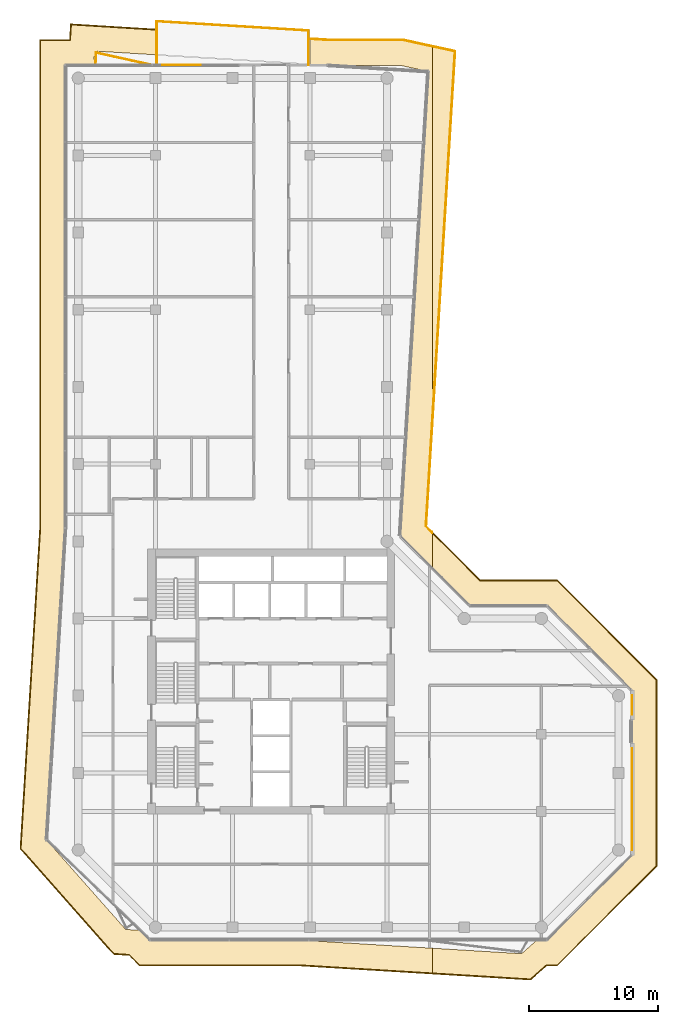
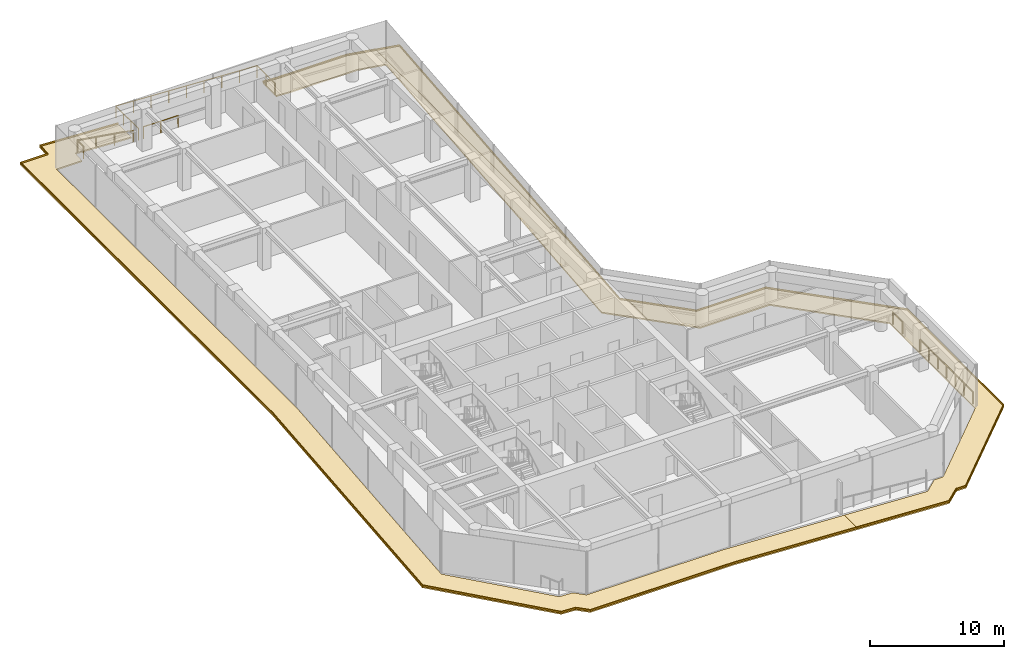
# One storey, part 22 of 22: 9 coverings, 5 railings.
"""IFC4 building model written with IfcOpenShell, lengths in metres."""

from ifc_helpers import new_model, si_unit, direction, frame, origin, origin_2d, place, context, subcontext, project, spatial, polyline, circle, outline, extrude, material, layer, layer_set, type_object, element, save


model = new_model("IFC4")

# Units and contexts
model_context = context("Model", 3, precision=1e-05, world=origin(), true_north=direction((0.0, 1.0)))
body_context = subcontext(model_context, "Body", "Model", "MODEL_VIEW")
ifc_project = project(units=[si_unit("LENGTHUNIT", "METRE"), si_unit("AREAUNIT", "SQUARE_METRE"), si_unit("VOLUMEUNIT", "CUBIC_METRE"), si_unit("PLANEANGLEUNIT", "RADIAN"), si_unit("MASSUNIT", "GRAM", prefix="KILO")], contexts=[model_context])

# Site, building, storey
site_placement = place(None, origin())
site = spatial("IfcSite", under=ifc_project, at=site_placement, CompositionType="ELEMENT")
building_placement = place(site_placement, origin())
building = spatial("IfcBuilding", under=site, at=building_placement, Name="Welwitschia Terrace Campus", CompositionType="ELEMENT")
storey_placement = place(building_placement, frame((0.0, 0.0, 155.0)))
storey = spatial("IfcBuildingStorey", under=building, at=storey_placement, Name="L34", CompositionType="ELEMENT", Elevation=155.0)

# Railings
ifc_material_1 = material(Name="Stainless steel grade 316", Category="steel")
railing_type = type_object("IfcRailingType", Name="Guard 1100", PredefinedType="GUARDRAIL", material=ifc_material_1)
railing_1_placement = place(storey_placement, frame((6.10009765625, 63.030029296875, 0.0)))
element("IfcRailing", 1, at=railing_1_placement, inside=storey, type_object=railing_type, Name="Guard terrace L34:0:0.0", PredefinedType="GUARDRAIL", context=body_context, shape_type="SweptSolid", body=[
    extrude(circle(Radius=0.02392578125, at=origin_2d()), frame((0.0, 0.0, 1.076171875), z_axis=(0.0, 1.0, 0.0), x_axis=(-1.0, 0.0, 0.0)), (0.0, 0.0, 1.0), 3.384033203125),
    extrude(circle(Radius=0.02392578125, at=origin_2d()), frame((0.0, 3.384033203125, 1.076171875), z_axis=(0.998134939054, -0.061046240169, 0.0), x_axis=(0.061046240169, 0.998134939054, 0.0)), (0.0, 0.0, 1.0), 11.82177734375),
    extrude(circle(Radius=0.02392578125, at=origin_2d()), frame((11.7998046875, 2.662353515625, 1.076171875), z_axis=(0.0, -1.0, 0.0), x_axis=(1.0, 0.0, 0.0)), (0.0, 0.0, 1.0), 2.662353515625),
    extrude(circle(Radius=0.02099609375, at=origin_2d()), origin(), (0.0, 0.0, 1.0), 1.052001953125),
    extrude(circle(Radius=0.02099609375, at=origin_2d()), frame((0.0, 1.1279296875, 0.0)), (0.0, 0.0, 1.0), 1.052001953125),
    extrude(circle(Radius=0.02099609375, at=origin_2d()), frame((0.0, 2.256103515625, 0.0)), (0.0, 0.0, 1.0), 1.052001953125),
    extrude(circle(Radius=0.02099609375, at=origin_2d()), frame((0.0, 3.384033203125, 0.0)), (0.0, 0.0, 1.0), 1.052001953125),
    extrude(circle(Radius=0.02099609375, at=origin_2d()), frame((1.47509765625, 3.2939453125, 0.0)), (0.0, 0.0, 1.0), 1.052001953125),
    extrude(circle(Radius=0.02099609375, at=origin_2d()), frame((2.949951171875, 3.20361328125, 0.0)), (0.0, 0.0, 1.0), 1.052001953125),
    extrude(circle(Radius=0.02099609375, at=origin_2d()), frame((4.4248046875, 3.11328125, 0.0)), (0.0, 0.0, 1.0), 1.052001953125),
    extrude(circle(Radius=0.02099609375, at=origin_2d()), frame((5.89990234375, 3.023193359375, 0.0)), (0.0, 0.0, 1.0), 1.052001953125),
    extrude(circle(Radius=0.02099609375, at=origin_2d()), frame((7.375, 2.93310546875, 0.0)), (0.0, 0.0, 1.0), 1.052001953125),
    extrude(circle(Radius=0.02099609375, at=origin_2d()), frame((8.849853515625, 2.8427734375, 0.0)), (0.0, 0.0, 1.0), 1.052001953125),
    extrude(circle(Radius=0.02099609375, at=origin_2d()), frame((10.32470703125, 2.75244140625, 0.0)), (0.0, 0.0, 1.0), 1.052001953125),
    extrude(circle(Radius=0.02099609375, at=origin_2d()), frame((11.7998046875, 2.662353515625, 0.0)), (0.0, 0.0, 1.0), 1.052001953125),
    extrude(circle(Radius=0.02099609375, at=origin_2d()), frame((11.7998046875, 1.3310546875, 0.0)), (0.0, 0.0, 1.0), 1.052001953125),
    extrude(circle(Radius=0.02099609375, at=origin_2d()), frame((11.7998046875, 0.0, 0.0)), (0.0, 0.0, 1.0), 1.052001953125),
])
railing_2_placement = place(storey_placement, frame((1.34912109375, 63.030029296875, 0.0)))
element("IfcRailing", 2, at=railing_2_placement, inside=storey, type_object=railing_type, Name="Guard floor edge L34.0", PredefinedType="GUARDRAIL", context=body_context, shape_type="SweptSolid", body=[
    extrude(circle(Radius=0.02392578125, at=origin_2d()), frame((0.0, 0.0, 1.076171875), z_axis=(0.032183216966, 0.999481986104, 0.0), x_axis=(-0.999481986104, 0.032183216966, 0.0)), (0.0, 0.0, 1.0), 0.9482421875),
    extrude(circle(Radius=0.02392578125, at=origin_2d()), frame((0.030517578125, 0.94775390625, 1.076171875), z_axis=(0.976244809584, -0.216670421977, 0.0), x_axis=(0.216670421977, 0.976244809584, 0.0)), (0.0, 0.0, 1.0), 4.374267578125),
    extrude(circle(Radius=0.02099609375, at=origin_2d()), origin(), (0.0, 0.0, 1.0), 1.052001953125),
    extrude(circle(Radius=0.02099609375, at=origin_2d()), frame((0.030517578125, 0.94775390625, 0.0)), (0.0, 0.0, 1.0), 1.052001953125),
    extrude(circle(Radius=0.02099609375, at=origin_2d()), frame((1.453857421875, 0.6318359375, 0.0)), (0.0, 0.0, 1.0), 1.052001953125),
    extrude(circle(Radius=0.02099609375, at=origin_2d()), frame((2.87744140625, 0.31591796875, 0.0)), (0.0, 0.0, 1.0), 1.052001953125),
    extrude(circle(Radius=0.02099609375, at=origin_2d()), frame((4.30078125, 0.0, 0.0)), (0.0, 0.0, 1.0), 1.052001953125),
])
railing_3_placement = place(storey_placement, frame((6.550048828125, 63.030029296875, 0.0)))
element("IfcRailing", 3, at=railing_3_placement, inside=storey, type_object=railing_type, Name="Guard floor edge L34.2", PredefinedType="GUARDRAIL", context=body_context, shape_type="SweptSolid", body=[
    extrude(circle(Radius=0.02392578125, at=origin_2d()), frame((0.0, 0.0, 1.076171875), z_axis=(1.0, 0.0, 0.0), x_axis=(0.0, 1.0, 0.0)), (0.0, 0.0, 1.0), 2.967041015625),
    extrude(circle(Radius=0.02099609375, at=origin_2d()), origin(), (0.0, 0.0, 1.0), 1.052001953125),
    extrude(circle(Radius=0.02099609375, at=origin_2d()), frame((1.4833984375, 0.0, 0.0)), (0.0, 0.0, 1.0), 1.052001953125),
    extrude(circle(Radius=0.02099609375, at=origin_2d()), frame((2.967041015625, 0.0, 0.0)), (0.0, 0.0, 1.0), 1.052001953125),
])
railing_4_placement = place(storey_placement, frame((43.030029296875, 9.8896484375, 0.0)))
element("IfcRailing", 4, at=railing_4_placement, inside=storey, type_object=railing_type, Name="Guard floor edge L34.4", PredefinedType="GUARDRAIL", context=body_context, shape_type="SweptSolid", body=[
    extrude(circle(Radius=0.02392578125, at=origin_2d()), frame((0.0, 0.0, 1.076171875), z_axis=(0.0, -1.0, 0.0), x_axis=(1.0, 0.0, 0.0)), (0.0, 0.0, 1.0), 7.892578125),
    extrude(circle(Radius=0.02099609375, at=origin_2d()), origin(), (0.0, 0.0, 1.0), 1.052001953125),
    extrude(circle(Radius=0.02099609375, at=origin_2d()), frame((0.0, -1.3154296875, 0.0)), (0.0, 0.0, 1.0), 1.052001953125),
    extrude(circle(Radius=0.02099609375, at=origin_2d()), frame((0.0, -2.630859375, 0.0)), (0.0, 0.0, 1.0), 1.052001953125),
    extrude(circle(Radius=0.02099609375, at=origin_2d()), frame((0.0, -3.9462890625, 0.0)), (0.0, 0.0, 1.0), 1.052001953125),
    extrude(circle(Radius=0.02099609375, at=origin_2d()), frame((0.0, -5.26171875, 0.0)), (0.0, 0.0, 1.0), 1.052001953125),
    extrude(circle(Radius=0.02099609375, at=origin_2d()), frame((0.0, -6.5771484375, 0.0)), (0.0, 0.0, 1.0), 1.052001953125),
    extrude(circle(Radius=0.02099609375, at=origin_2d()), frame((0.0, -7.892578125, 0.0)), (0.0, 0.0, 1.0), 1.052001953125),
])
railing_5_placement = place(storey_placement, frame((43.030029296875, 14.0029296875, 0.0)))
element("IfcRailing", 5, at=railing_5_placement, inside=storey, type_object=railing_type, Name="Guard floor edge L34.5", PredefinedType="GUARDRAIL", context=body_context, shape_type="SweptSolid", body=[
    extrude(circle(Radius=0.02392578125, at=origin_2d()), frame((0.0, 0.0, 1.076171875), z_axis=(0.0, -1.0, 0.0), x_axis=(1.0, 0.0, 0.0)), (0.0, 0.0, 1.0), 1.4658203125),
    extrude(circle(Radius=0.02099609375, at=origin_2d()), origin(), (0.0, 0.0, 1.0), 1.052001953125),
    extrude(circle(Radius=0.02099609375, at=origin_2d()), frame((0.0, -1.4658203125, 0.0)), (0.0, 0.0, 1.0), 1.052001953125),
])

# Coverings
ifc_material_2 = material(Name="Bronze anodised aluminium", Category="aluminium")
ifc_layer_1 = layer(ifc_material_2, 0.1201171875)
ifc_layer_set_1 = layer_set([ifc_layer_1], Name="Bronze anodised aluminium")
covering_type_1 = type_object("IfcCoveringType", Name="Sunshade band 2000", PredefinedType="USERDEFINED", material=ifc_layer_set_1)
covering_1_placement = place(storey_placement, frame((0.0, 0.0, -0.25)))
element("IfcCovering", 6, at=covering_1_placement, inside=storey, type_object=covering_type_1, Name="SUNSHADE L34.SW0", ObjectType="SUNSHADE", PredefinedType="USERDEFINED", context=body_context, shape_type="SweptSolid", body=[
    extrude(outline(polyline([(5.949951171875, 65.822021484375), (5.949951171875, 63.818359375), (1.26708984375, 64.104736328125), (1.19970703125, 63.0), (-1.0, 63.0), (-1.0, 27.0361328125), (-2.48193359375, 2.80517578125), (3.689453125, -4.17041015625), (4.82568359375, -4.239990234375), (5.585693359375, -5.0), (17.253173828125, -5.0), (27.51806640625, -5.627685546875), (27.51806640625, -7.631591796875), (17.192138671875, -7.0), (4.75732421875, -7.0), (3.947265625, -6.18994140625), (2.740478515625, -6.1162109375), (-4.52880859375, 2.100341796875), (-3.0, 27.097412109375), (-3.0, 65.0), (-0.681884765625, 65.0), (-0.60693359375, 66.22314453125), (5.949951171875, 65.822021484375)])), origin(), (0.0, 0.0, 1.0), 0.1201171875),
])
covering_2_placement = place(storey_placement, frame((0.0, 0.0, -0.25)))
element("IfcCovering", 7, at=covering_2_placement, inside=storey, type_object=covering_type_1, Name="SUNSHADE L34.SW1", ObjectType="SUNSHADE", PredefinedType="USERDEFINED", context=body_context, shape_type="SweptSolid", body=[
    extrude(outline(polyline([(25.010009765625, 26.404296875), (27.21875, 62.517578125), (25.0, 63.0), (19.330810546875, 63.0), (18.050048828125, 63.078369140625), (18.050048828125, 65.08203125), (19.391845703125, 65.0), (25.21484375, 65.0), (27.51806640625, 64.499267578125), (27.51806640625, 34.6494140625), (27.061279296875, 27.181396484375), (27.51806640625, 26.724609375), (27.51806640625, 23.896240234375), (25.010009765625, 26.404296875)])), origin(), (0.0, 0.0, 1.0), 0.1201171875),
])
covering_3_placement = place(storey_placement, frame((0.0, 0.0, -0.25)))
element("IfcCovering", 8, at=covering_3_placement, inside=storey, type_object=covering_type_1, Name="SUNSHADE L34.SE0", ObjectType="SUNSHADE", PredefinedType="USERDEFINED", context=body_context, shape_type="SweptSolid", body=[
    extrude(outline(polyline([(34.460205078125, -6.052490234375), (35.64990234375, -5.0), (36.414306640625, -5.0), (43.0, 1.585693359375), (43.0, 14.414306640625), (36.414306640625, 21.0), (30.414306640625, 21.0), (27.51806640625, 23.896240234375), (27.51806640625, 26.724609375), (31.24267578125, 23.0), (37.24267578125, 23.0), (45.0, 15.24267578125), (45.0, 0.75732421875), (37.24267578125, -7.0), (36.40771484375, -7.0), (35.1650390625, -8.099365234375), (27.51806640625, -7.631591796875), (27.51806640625, -5.627685546875), (34.460205078125, -6.052490234375)])), origin(), (0.0, 0.0, 1.0), 0.1201171875),
])
covering_4_placement = place(storey_placement, frame((0.0, 0.0, -0.25)))
element("IfcCovering", 9, at=covering_4_placement, inside=storey, type_object=covering_type_1, Name="SUNSHADE L34.SE1", ObjectType="SUNSHADE", PredefinedType="USERDEFINED", context=body_context, shape_type="SweptSolid", body=[
    extrude(outline(polyline([(29.319580078125, 64.107421875), (27.51806640625, 34.6494140625), (27.51806640625, 64.499267578125), (29.319580078125, 64.107421875)])), origin(), (0.0, 0.0, 1.0), 0.1201171875),
])
ifc_material_3 = material(Name="Bronze anodised aluminium", Category="aluminium")
ifc_layer_2 = layer(ifc_material_3, 0.06005859375)
ifc_layer_set_2 = layer_set([ifc_layer_2], Name="Bronze anodised aluminium")
covering_type_2 = type_object("IfcCoveringType", Name="Sunshade lip 60", PredefinedType="USERDEFINED", material=ifc_layer_set_2)
covering_5_placement = place(storey_placement, frame((0.0, 0.0, -0.1298828125)))
element("IfcCovering", 10, at=covering_5_placement, inside=storey, type_object=covering_type_2, Name="SUNSHADE LIP L34.SW0.0", ObjectType="SUNSHADE", PredefinedType="USERDEFINED", context=body_context, shape_type="SweptSolid", body=[
    extrude(outline(polyline([(5.949951171875, 65.761962890625), (-0.55078125, 66.15966796875), (-0.625244140625, 64.93994140625), (-2.93994140625, 64.93994140625), (-2.93994140625, 27.095458984375), (-4.467529296875, 2.12158203125), (2.768798828125, -6.0576171875), (3.9736328125, -6.13134765625), (4.7822265625, -6.93994140625), (17.194091796875, -6.93994140625), (27.51806640625, -7.5712890625), (27.51806640625, -7.631591796875), (17.192138671875, -7.0), (4.75732421875, -7.0), (3.947265625, -6.18994140625), (2.740478515625, -6.1162109375), (-4.52880859375, 2.100341796875), (-3.0, 27.097412109375), (-3.0, 65.0), (-0.681884765625, 65.0), (-0.60693359375, 66.22314453125), (5.949951171875, 65.822021484375), (5.949951171875, 65.761962890625)])), origin(), (0.0, 0.0, 1.0), 0.1298828125),
])
covering_6_placement = place(storey_placement, frame((0.0, 0.0, -0.1298828125)))
element("IfcCovering", 11, at=covering_6_placement, inside=storey, type_object=covering_type_2, Name="SUNSHADE LIP L34.SW1.0", ObjectType="SUNSHADE", PredefinedType="USERDEFINED", context=body_context, shape_type="SweptSolid", body=[
    extrude(outline(polyline([(18.050048828125, 65.08203125), (19.391845703125, 65.0), (25.21484375, 65.0), (27.51806640625, 64.499267578125), (27.51806640625, 64.437744140625), (25.20849609375, 64.93994140625), (19.39013671875, 64.93994140625), (18.050048828125, 65.02197265625), (18.050048828125, 65.08203125)])), origin(), (0.0, 0.0, 1.0), 0.1298828125),
])
covering_7_placement = place(storey_placement, frame((0.0, 0.0, -0.1298828125)))
element("IfcCovering", 12, at=covering_7_placement, inside=storey, type_object=covering_type_2, Name="SUNSHADE LIP L34.SW1.1", ObjectType="SUNSHADE", PredefinedType="USERDEFINED", context=body_context, shape_type="SweptSolid", body=[
    extrude(outline(polyline([(27.51806640625, 34.6494140625), (27.061279296875, 27.181396484375), (27.51806640625, 26.724609375), (27.51806640625, 26.639892578125), (26.999755859375, 27.158203125), (27.51806640625, 35.632080078125), (27.51806640625, 34.6494140625)])), origin(), (0.0, 0.0, 1.0), 0.1298828125),
])
covering_8_placement = place(storey_placement, frame((0.0, 0.0, -0.1298828125)))
element("IfcCovering", 13, at=covering_8_placement, inside=storey, type_object=covering_type_2, Name="SUNSHADE LIP L34.SE0.0", ObjectType="SUNSHADE", PredefinedType="USERDEFINED", context=body_context, shape_type="SweptSolid", body=[
    extrude(outline(polyline([(27.51806640625, 26.724609375), (31.24267578125, 23.0), (37.24267578125, 23.0), (45.0, 15.24267578125), (45.0, 0.75732421875), (37.24267578125, -7.0), (36.40771484375, -7.0), (35.1650390625, -8.099365234375), (27.51806640625, -7.631591796875), (27.51806640625, -7.5712890625), (35.14404296875, -8.037841796875), (36.385009765625, -6.93994140625), (37.2177734375, -6.93994140625), (44.93994140625, 0.7822265625), (44.93994140625, 15.2177734375), (37.2177734375, 22.93994140625), (31.2177734375, 22.93994140625), (27.51806640625, 26.639892578125), (27.51806640625, 26.724609375)])), origin(), (0.0, 0.0, 1.0), 0.1298828125),
])
covering_9_placement = place(storey_placement, frame((0.0, 0.0, -0.1298828125)))
element("IfcCovering", 14, at=covering_9_placement, inside=storey, type_object=covering_type_2, Name="SUNSHADE LIP L34.SE1.0", ObjectType="SUNSHADE", PredefinedType="USERDEFINED", context=body_context, shape_type="SweptSolid", body=[
    extrude(outline(polyline([(27.51806640625, 34.6494140625), (27.51806640625, 35.632080078125), (29.256591796875, 64.059814453125), (27.51806640625, 64.437744140625), (27.51806640625, 64.499267578125), (29.319580078125, 64.107421875), (27.51806640625, 34.6494140625)])), origin(), (0.0, 0.0, 1.0), 0.1298828125),
])

save(model, "model.ifc")
